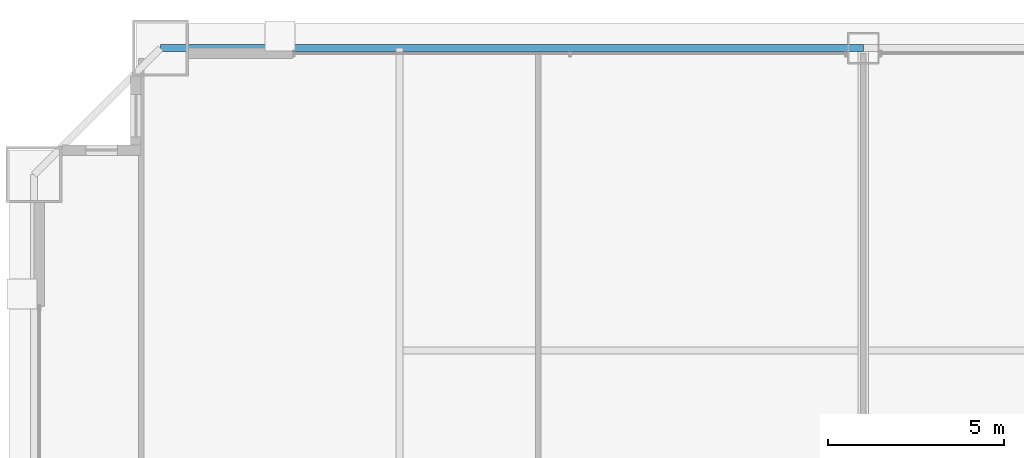
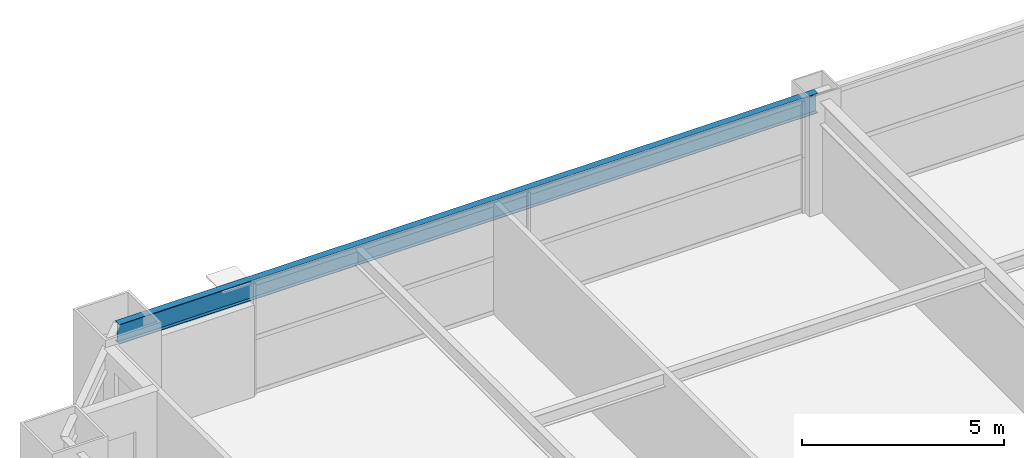
# One storey, part 23 of 37: 1 beam.
"""IFC4 building model written with IfcOpenShell, lengths in metres."""

from ifc_helpers import new_model, si_unit, direction, frame, origin, origin_2d, place, context, subcontext, project, spatial, i_section, extrude, source, transform, mapped, material, material_profile, profile_set, type_object, element, save


model = new_model("IFC4")

# Units and contexts
model_context = context("Model", 3, precision=1e-05, world=origin(), true_north=direction((0.0, 1.0)))
body_context = subcontext(model_context, "Body", "Model", "MODEL_VIEW")
ifc_project = project(units=[si_unit("LENGTHUNIT", "METRE"), si_unit("AREAUNIT", "SQUARE_METRE"), si_unit("VOLUMEUNIT", "CUBIC_METRE"), si_unit("PLANEANGLEUNIT", "RADIAN"), si_unit("MASSUNIT", "GRAM", prefix="KILO"), si_unit("THERMODYNAMICTEMPERATUREUNIT", "KELVIN"), si_unit("POWERUNIT", "WATT")], contexts=[model_context])

# Site, building, storey
site_placement = place(None, origin())
site = spatial("IfcSite", under=ifc_project, at=site_placement, CompositionType="ELEMENT")
building_placement = place(site_placement, origin())
building = spatial("IfcBuilding", under=site, at=building_placement, Name="Yuzanri Waterfront Tower", CompositionType="ELEMENT")
storey_placement = place(building_placement, frame((0.0, 0.0, 104.60009765625)))
storey = spatial("IfcBuildingStorey", under=building, at=storey_placement, Name="L27", CompositionType="ELEMENT", Elevation=104.60009765625)

# Beam
ifc_material = material(Name="Steel Q355B", Category="steel")
ifc_material_profile = material_profile(ifc_material, i_section(OverallWidth=0.199951171875, OverallDepth=0.60009765625, WebThickness=0.010986328125, FlangeThickness=0.01708984375, at=origin_2d()), Name="HN 600x200x11x17")
ifc_profile_set = profile_set([ifc_material_profile], Name="Steel Q355B")
beam_type = type_object("IfcBeamType", Name="Perimeter Spandrel Q355B HN 600x200", PredefinedType="SPANDREL", material=ifc_profile_set)
shared_shape = source(origin(), body_context, "Body", "SweptSolid", [
    extrude(i_section(OverallWidth=0.199951171875, OverallDepth=0.60009765625, WebThickness=0.010986328125, FlangeThickness=0.01708984375, at=origin_2d()), origin(), (0.0, 0.0, 1.0), 20.0),
])
beam_placement = place(storey_placement, frame((37.0, 49.39990234375, 3.079833984375), z_axis=(-1.0, 0.0, 0.0), x_axis=(0.0, -1.0, 0.0)))
element("IfcBeam", 1, at=beam_placement, inside=storey, type_object=beam_type, Name="L27 Perimeter Spandrel N2-N1", PredefinedType="SPANDREL", context=body_context, shape_type="MappedRepresentation", body=[
    mapped(shared_shape, transform((0.0, 0.0, 0.0), scale=1.0)),
])

save(model, "model.ifc")
